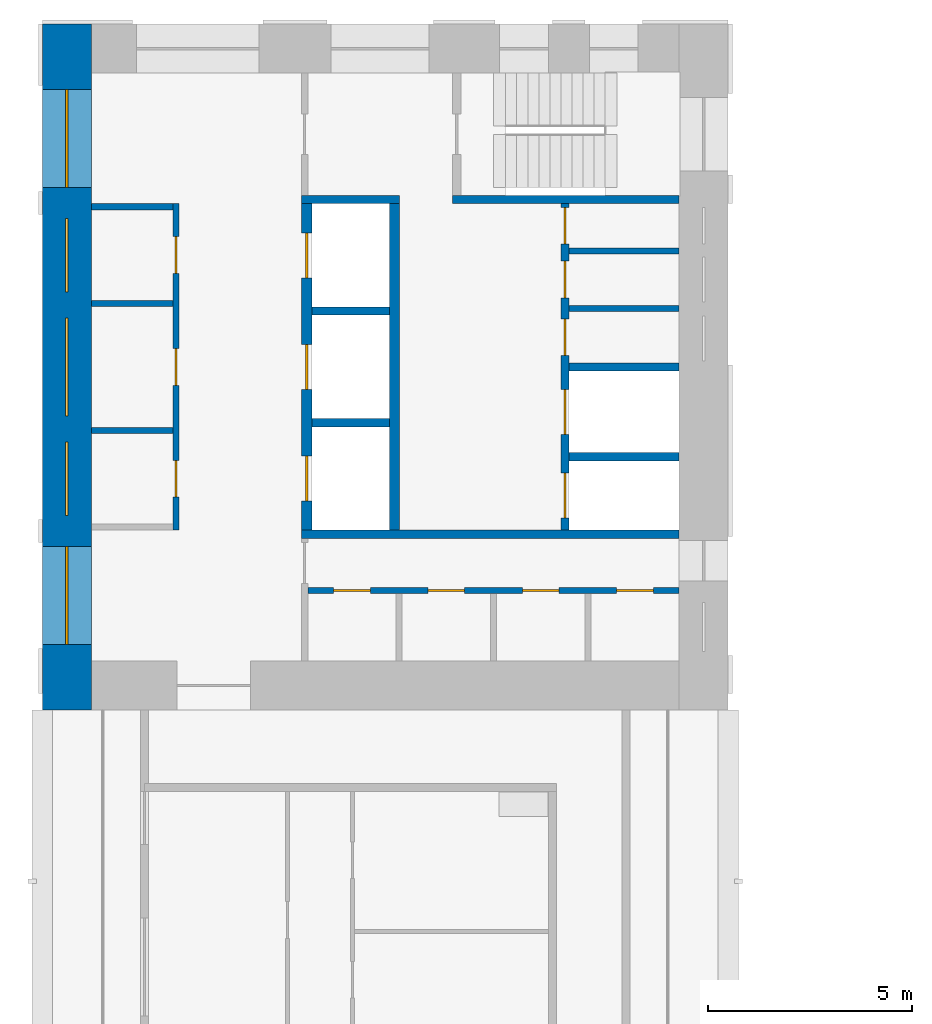
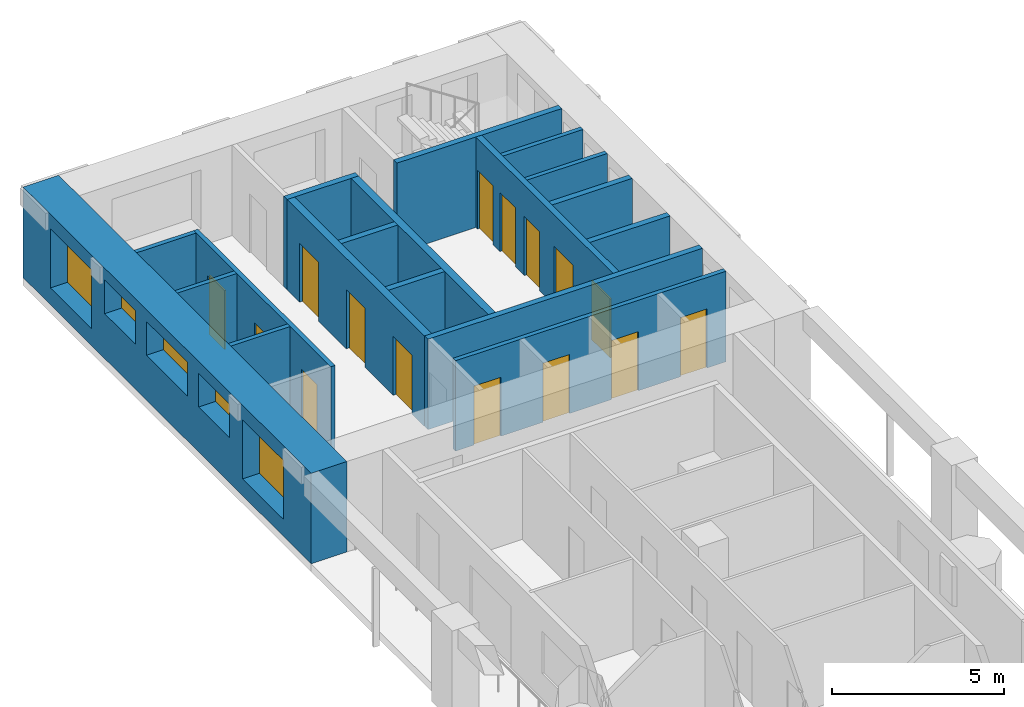
# One storey, part 6 of 13: 18 walls, 15 doors, 5 windows, 20 openings.
"""IFC4 building model written with IfcOpenShell, lengths in metres."""

from ifc_helpers import new_model, si_unit, direction, frame, frame_2d, origin, place, context, subcontext, project, spatial, rectangle, extrude, material, layer, layer_set, type_object, element, fill, save


model = new_model("IFC4")

# Units and contexts
model_context = context("Model", 3, precision=1e-05, world=origin(), true_north=direction((0.0, 1.0)))
body_context = subcontext(model_context, "Body", "Model", "MODEL_VIEW")
ifc_project = project(units=[si_unit("LENGTHUNIT", "METRE"), si_unit("AREAUNIT", "SQUARE_METRE"), si_unit("VOLUMEUNIT", "CUBIC_METRE"), si_unit("PLANEANGLEUNIT", "RADIAN"), si_unit("MASSUNIT", "GRAM", prefix="KILO")], contexts=[model_context])

# Site, building, storey
site_placement = place(None, origin())
site = spatial("IfcSite", under=ifc_project, at=site_placement, CompositionType="ELEMENT")
building_placement = place(site_placement, origin())
building = spatial("IfcBuilding", under=site, at=building_placement, Name="Vermilion Gate Residences", CompositionType="ELEMENT")
storey_placement = place(building_placement, frame((0.0, 0.0, 165.199951171875)))
storey = spatial("IfcBuildingStorey", under=building, at=storey_placement, Name="L42", CompositionType="ELEMENT", Elevation=165.199951171875)

# Walls
ifc_material_1 = material(Name="Masonry blockwork", Category="masonry")
ifc_layer_1 = layer(ifc_material_1, 0.14990234375)
ifc_layer_set_1 = layer_set([ifc_layer_1], Name="BLOCKWORK PARTITION 150 EI 120")
wall_type_1 = type_object("IfcWallType", Name="BLOCKWORK PARTITION 150 EI 120", PredefinedType="PARTITIONING", material=ifc_layer_set_1)
for number, where, z_axis, x_axis, name in (
    (1, (9.60009765625, 54.324951171875, 0.0), (0.0, 0.0, 1.0), (1.0, 0.0, 0.0), "Core room partition B42-RW-W"),
    (2, (9.60009765625, 51.955078125, 0.0), (0.0, 0.0, 1.0), (1.0, 0.0, 0.0), "Core room partition B42-SR-P0"),
    (3, (9.60009765625, 48.844970703125, 0.0), (0.0, 0.0, 1.0), (1.0, 0.0, 0.0), "Core room partition B42-SR-P1"),
):
    element("IfcWall", number, at=place(storey_placement, frame(where, z_axis=z_axis, x_axis=x_axis)), inside=storey, type_object=wall_type_1, Name=name, PredefinedType="PARTITIONING", context=body_context, shape_type="SweptSolid", body=[
        extrude(rectangle(XDim=2.0, YDim=0.14990234375, at=frame_2d((1.0, 0.0))), origin(), (0.0, 0.0, 1.0), 3.219970703125),
    ])

# Wall, openings, doors
wall_1_placement = place(storey_placement, frame((11.675048828125, 54.39990234375, 0.0), z_axis=(0.0, 0.0, 1.0), x_axis=(0.0, -1.0, 0.0)))
wall_1 = element("IfcWall", 4, at=wall_1_placement, inside=storey, type_object=wall_type_1, Name="Core room partition B42-LR-F", PredefinedType="PARTITIONING", context=body_context, shape_type="SweptSolid", body=[
    extrude(rectangle(XDim=8.0, YDim=0.14990234375, at=frame_2d((4.0, 0.0))), origin(), (0.0, 0.0, 1.0), 3.219970703125),
])
opening_1_placement = place(wall_1_placement, frame((0.81005859375, 0.0, 0.0)))
opening_1 = element("IfcOpeningElement", 5, at=opening_1_placement, cuts=wall_1, Name="Opening DK42102", PredefinedType="OPENING", context=body_context, shape_type="SweptSolid", body=[
    extrude(rectangle(XDim=0.89990234375, YDim=2.10009765625, at=frame_2d((0.449951171875, 1.050048828125))), frame((0.0, 0.0849609375, 0.0), z_axis=(0.0, -1.0, 0.0), x_axis=(1.0, 0.0, 0.0)), (0.0, 0.0, 1.0), 0.169921875),
])
opening_2_placement = place(wall_1_placement, frame((3.550048828125, 0.0, 0.0)))
opening_2 = element("IfcOpeningElement", 6, at=opening_2_placement, cuts=wall_1, Name="Opening DK42103", PredefinedType="OPENING", context=body_context, shape_type="SweptSolid", body=[
    extrude(rectangle(XDim=0.89990234375, YDim=2.10009765625, at=frame_2d((0.449951171875, 1.050048828125))), frame((0.0, 0.0849609375, 0.0), z_axis=(0.0, -1.0, 0.0), x_axis=(1.0, 0.0, 0.0)), (0.0, 0.0, 1.0), 0.169921875),
])
opening_3_placement = place(wall_1_placement, frame((6.2900390625, 0.0, 0.0)))
opening_3 = element("IfcOpeningElement", 7, at=opening_3_placement, cuts=wall_1, Name="Opening DK42104", PredefinedType="OPENING", context=body_context, shape_type="SweptSolid", body=[
    extrude(rectangle(XDim=0.89990234375, YDim=2.10009765625, at=frame_2d((0.449951171875, 1.050048828125))), frame((0.0, 0.0849609375, 0.0), z_axis=(0.0, -1.0, 0.0), x_axis=(1.0, 0.0, 0.0)), (0.0, 0.0, 1.0), 0.169921875),
])
ifc_material_2 = material(Name="Steel", Category="steel")
door_type_1 = type_object("IfcDoorType", Name="SERVICE ROOM DOOR FD60 900 X 2100", OperationType="SINGLE_SWING_LEFT", PredefinedType="DOOR", material=ifc_material_2)
door_1_placement = place(opening_1_placement, frame((0.89990234375, 0.0, 0.0), z_axis=(0.0, 0.0, 1.0), x_axis=(-1.0, 0.0, 0.0)))
door_1 = element("IfcDoor", 8, at=door_1_placement, inside=storey, type_object=door_type_1, Name="Refuse room B42", OperationType="SINGLE_SWING_LEFT", OverallHeight=2.10009765625, OverallWidth=0.89990234375, PredefinedType="DOOR", context=body_context, shape_type="SweptSolid", body=[
    extrude(rectangle(XDim=0.89990234375, YDim=2.10009765625, at=frame_2d((0.449951171875, 1.050048828125))), frame((0.0, 0.02490234375, 0.0), z_axis=(0.0, -1.0, 0.0), x_axis=(1.0, 0.0, 0.0)), (0.0, 0.0, 1.0), 0.050048828125),
])
fill(opening_1, door_1)
door_2_placement = place(opening_2_placement, frame((0.89990234375, 0.0, 0.0), z_axis=(0.0, 0.0, 1.0), x_axis=(-1.0, 0.0, 0.0)))
door_2 = element("IfcDoor", 9, at=door_2_placement, inside=storey, type_object=door_type_1, Name="Parcel room B42", OperationType="SINGLE_SWING_RIGHT", OverallHeight=2.10009765625, OverallWidth=0.89990234375, PredefinedType="DOOR", context=body_context, shape_type="SweptSolid", body=[
    extrude(rectangle(XDim=0.89990234375, YDim=2.10009765625, at=frame_2d((0.449951171875, 1.050048828125))), frame((0.0, 0.02490234375, 0.0), z_axis=(0.0, -1.0, 0.0), x_axis=(1.0, 0.0, 0.0)), (0.0, 0.0, 1.0), 0.050048828125),
])
fill(opening_2, door_2)
door_3_placement = place(opening_3_placement, frame((0.89990234375, 0.0, 0.0), z_axis=(0.0, 0.0, 1.0), x_axis=(-1.0, 0.0, 0.0)))
door_3 = element("IfcDoor", 10, at=door_3_placement, inside=storey, type_object=door_type_1, Name="Housekeeping store B42", OperationType="SINGLE_SWING_RIGHT", OverallHeight=2.10009765625, OverallWidth=0.89990234375, PredefinedType="DOOR", context=body_context, shape_type="SweptSolid", body=[
    extrude(rectangle(XDim=0.89990234375, YDim=2.10009765625, at=frame_2d((0.449951171875, 1.050048828125))), frame((0.0, 0.02490234375, 0.0), z_axis=(0.0, -1.0, 0.0), x_axis=(1.0, 0.0, 0.0)), (0.0, 0.0, 1.0), 0.050048828125),
])
fill(opening_3, door_3)

# Walls
for number, where, z_axis, x_axis, name in (
    (11, (21.300048828125, 53.2451171875, 0.0), (0.0, 0.0, 1.0), (1.0, 0.0, 0.0), "Core room partition B42-NR-P0"),
    (12, (21.300048828125, 51.8349609375, 0.0), (0.0, 0.0, 1.0), (1.0, 0.0, 0.0), "Core room partition B42-NR-P1"),
):
    element("IfcWall", number, at=place(storey_placement, frame(where, z_axis=z_axis, x_axis=x_axis)), inside=storey, type_object=wall_type_1, Name=name, PredefinedType="PARTITIONING", context=body_context, shape_type="SweptSolid", body=[
        extrude(rectangle(XDim=2.699951171875, YDim=0.14990234375, at=frame_2d((1.35009765625, 0.0))), origin(), (0.0, 0.0, 1.0), 3.219970703125),
    ])

# Wall, openings, doors
wall_2_placement = place(storey_placement, frame((14.89990234375, 44.925048828125, 0.0), z_axis=(0.0, 0.0, 1.0), x_axis=(1.0, 0.0, 0.0)))
wall_2 = element("IfcWall", 13, at=wall_2_placement, inside=storey, type_object=wall_type_1, Name="Core room partition B42-ES-W", PredefinedType="PARTITIONING", context=body_context, shape_type="SweptSolid", body=[
    extrude(rectangle(XDim=9.10009765625, YDim=0.14990234375, at=frame_2d((4.550048828125, 0.0))), origin(), (0.0, 0.0, 1.0), 3.219970703125),
])
opening_4_placement = place(wall_2_placement, frame((0.63134765625, 0.0, 0.0)))
opening_4 = element("IfcOpeningElement", 14, at=opening_4_placement, cuts=wall_2, Name="Opening DK42116", PredefinedType="OPENING", context=body_context, shape_type="SweptSolid", body=[
    extrude(rectangle(XDim=0.89990234375, YDim=2.10009765625, at=frame_2d((0.449951171875, 1.050048828125))), frame((0.0, 0.0849609375, 0.0), z_axis=(0.0, -1.0, 0.0), x_axis=(1.0, 0.0, 0.0)), (0.0, 0.0, 1.0), 0.169921875),
])
opening_5_placement = place(wall_2_placement, frame((2.94384765625, 0.0, 0.0)))
opening_5 = element("IfcOpeningElement", 15, at=opening_5_placement, cuts=wall_2, Name="Opening DK42117", PredefinedType="OPENING", context=body_context, shape_type="SweptSolid", body=[
    extrude(rectangle(XDim=0.89990234375, YDim=2.10009765625, at=frame_2d((0.449951171875, 1.050048828125))), frame((0.0, 0.0849609375, 0.0), z_axis=(0.0, -1.0, 0.0), x_axis=(1.0, 0.0, 0.0)), (0.0, 0.0, 1.0), 0.169921875),
])
opening_6_placement = place(wall_2_placement, frame((5.25634765625, 0.0, 0.0)))
opening_6 = element("IfcOpeningElement", 16, at=opening_6_placement, cuts=wall_2, Name="Opening DK42118", PredefinedType="OPENING", context=body_context, shape_type="SweptSolid", body=[
    extrude(rectangle(XDim=0.89990234375, YDim=2.10009765625, at=frame_2d((0.449951171875, 1.050048828125))), frame((0.0, 0.0849609375, 0.0), z_axis=(0.0, -1.0, 0.0), x_axis=(1.0, 0.0, 0.0)), (0.0, 0.0, 1.0), 0.169921875),
])
opening_7_placement = place(wall_2_placement, frame((7.56884765625, 0.0, 0.0)))
opening_7 = element("IfcOpeningElement", 17, at=opening_7_placement, cuts=wall_2, Name="Opening DK42119", PredefinedType="OPENING", context=body_context, shape_type="SweptSolid", body=[
    extrude(rectangle(XDim=0.89990234375, YDim=2.10009765625, at=frame_2d((0.449951171875, 1.050048828125))), frame((0.0, 0.0849609375, 0.0), z_axis=(0.0, -1.0, 0.0), x_axis=(1.0, 0.0, 0.0)), (0.0, 0.0, 1.0), 0.169921875),
])
door_4_placement = place(opening_4_placement, frame((0.89990234375, 0.0, 0.0), z_axis=(0.0, 0.0, 1.0), x_axis=(-1.0, 0.0, 0.0)))
door_4 = element("IfcDoor", 18, at=door_4_placement, inside=storey, type_object=door_type_1, Name="Parcel room B42", OperationType="SINGLE_SWING_RIGHT", OverallHeight=2.10009765625, OverallWidth=0.89990234375, PredefinedType="DOOR", context=body_context, shape_type="SweptSolid", body=[
    extrude(rectangle(XDim=0.89990234375, YDim=2.10009765625, at=frame_2d((0.449951171875, 1.050048828125))), frame((0.0, 0.02490234375, 0.0), z_axis=(0.0, -1.0, 0.0), x_axis=(1.0, 0.0, 0.0)), (0.0, 0.0, 1.0), 0.050048828125),
])
fill(opening_4, door_4)
door_5_placement = place(opening_5_placement, frame((0.89990234375, 0.0, 0.0), z_axis=(0.0, 0.0, 1.0), x_axis=(-1.0, 0.0, 0.0)))
door_5 = element("IfcDoor", 19, at=door_5_placement, inside=storey, type_object=door_type_1, Name="Cleaner's store B42", OperationType="SINGLE_SWING_RIGHT", OverallHeight=2.10009765625, OverallWidth=0.89990234375, PredefinedType="DOOR", context=body_context, shape_type="SweptSolid", body=[
    extrude(rectangle(XDim=0.89990234375, YDim=2.10009765625, at=frame_2d((0.449951171875, 1.050048828125))), frame((0.0, 0.02490234375, 0.0), z_axis=(0.0, -1.0, 0.0), x_axis=(1.0, 0.0, 0.0)), (0.0, 0.0, 1.0), 0.050048828125),
])
fill(opening_5, door_5)
door_6_placement = place(opening_6_placement, frame((0.89990234375, 0.0, 0.0), z_axis=(0.0, 0.0, 1.0), x_axis=(-1.0, 0.0, 0.0)))
door_6 = element("IfcDoor", 20, at=door_6_placement, inside=storey, type_object=door_type_1, Name="Electrical room B42", OperationType="SINGLE_SWING_RIGHT", OverallHeight=2.10009765625, OverallWidth=0.89990234375, PredefinedType="DOOR", context=body_context, shape_type="SweptSolid", body=[
    extrude(rectangle(XDim=0.89990234375, YDim=2.10009765625, at=frame_2d((0.449951171875, 1.050048828125))), frame((0.0, 0.02490234375, 0.0), z_axis=(0.0, -1.0, 0.0), x_axis=(1.0, 0.0, 0.0)), (0.0, 0.0, 1.0), 0.050048828125),
])
fill(opening_6, door_6)
door_7_placement = place(opening_7_placement, frame((0.89990234375, 0.0, 0.0), z_axis=(0.0, 0.0, 1.0), x_axis=(-1.0, 0.0, 0.0)))
door_7 = element("IfcDoor", 21, at=door_7_placement, inside=storey, type_object=door_type_1, Name="Storage room B42", OperationType="SINGLE_SWING_RIGHT", OverallHeight=2.10009765625, OverallWidth=0.89990234375, PredefinedType="DOOR", context=body_context, shape_type="SweptSolid", body=[
    extrude(rectangle(XDim=0.89990234375, YDim=2.10009765625, at=frame_2d((0.449951171875, 1.050048828125))), frame((0.0, 0.02490234375, 0.0), z_axis=(0.0, -1.0, 0.0), x_axis=(1.0, 0.0, 0.0)), (0.0, 0.0, 1.0), 0.050048828125),
])
fill(opening_7, door_7)

# Walls
ifc_material_3 = material(Name="Concrete C60", Category="concrete")
ifc_layer_2 = layer(ifc_material_3, 0.199951171875)
ifc_layer_set_2 = layer_set([ifc_layer_2], Name="RC CORE INTERNAL WALL 200 C60")
wall_type_2 = type_object("IfcWallType", Name="RC CORE INTERNAL WALL 200 C60", PredefinedType="SHEAR", material=ifc_layer_set_2)
for number, where, z_axis, x_axis, name in (
    (22, (15.0, 51.7666015625, 0.0), (0.0, 0.0, 1.0), (1.0, 0.0, 0.0), "Core internal wall B42-HR-D1"),
    (23, (15.0, 49.033447265625, 0.0), (0.0, 0.0, 1.0), (1.0, 0.0, 0.0), "Core internal wall B42-HR-D2"),
):
    element("IfcWall", number, at=place(storey_placement, frame(where, z_axis=z_axis, x_axis=x_axis)), inside=storey, type_object=wall_type_2, Name=name, PredefinedType="SHEAR", context=body_context, shape_type="SweptSolid", body=[
        extrude(rectangle(XDim=1.89990234375, YDim=0.199951171875, at=frame_2d((0.949951171875, 0.0))), origin(), (0.0, 0.0, 1.0), 3.219970703125),
    ])
for number, where, z_axis, x_axis, name in (
    (24, (21.300048828125, 50.39990234375, 0.0), (0.0, 0.0, 1.0), (1.0, 0.0, 0.0), "Core internal wall B42-FF-D0"),
    (25, (21.300048828125, 48.199951171875, 0.0), (0.0, 0.0, 1.0), (1.0, 0.0, 0.0), "Core internal wall B42-FF-D1"),
):
    element("IfcWall", number, at=place(storey_placement, frame(where, z_axis=z_axis, x_axis=x_axis)), inside=storey, type_object=wall_type_2, Name=name, PredefinedType="SHEAR", context=body_context, shape_type="SweptSolid", body=[
        extrude(rectangle(XDim=2.699951171875, YDim=0.199951171875, at=frame_2d((1.35009765625, 0.0))), origin(), (0.0, 0.0, 1.0), 3.219970703125),
    ])

# Wall, openings, doors
wall_3_placement = place(storey_placement, frame((21.199951171875, 54.39990234375, 0.0), z_axis=(0.0, 0.0, 1.0), x_axis=(0.0, -1.0, 0.0)))
wall_3 = element("IfcWall", 26, at=wall_3_placement, inside=storey, type_object=wall_type_2, Name="Core internal wall B42-FF-F", PredefinedType="SHEAR", context=body_context, shape_type="SweptSolid", body=[
    extrude(rectangle(XDim=8.0, YDim=0.199951171875, at=frame_2d((4.0, 0.0))), origin(), (0.0, 0.0, 1.0), 3.219970703125),
])
opening_8_placement = place(wall_3_placement, frame((0.090087890625, 0.0, 0.0)))
opening_8 = element("IfcOpeningElement", 27, at=opening_8_placement, cuts=wall_3, Name="Opening DK42108", PredefinedType="OPENING", context=body_context, shape_type="SweptSolid", body=[
    extrude(rectangle(XDim=0.89990234375, YDim=2.10009765625, at=frame_2d((0.449951171875, 1.050048828125))), frame((0.0, 0.10986328125, 0.0), z_axis=(0.0, -1.0, 0.0), x_axis=(1.0, 0.0, 0.0)), (0.0, 0.0, 1.0), 0.219970703125),
])
opening_9_placement = place(wall_3_placement, frame((1.409912109375, 0.0, 0.0)))
opening_9 = element("IfcOpeningElement", 28, at=opening_9_placement, cuts=wall_3, Name="Opening DK42109", PredefinedType="OPENING", context=body_context, shape_type="SweptSolid", body=[
    extrude(rectangle(XDim=0.89990234375, YDim=2.10009765625, at=frame_2d((0.449951171875, 1.050048828125))), frame((0.0, 0.10986328125, 0.0), z_axis=(0.0, -1.0, 0.0), x_axis=(1.0, 0.0, 0.0)), (0.0, 0.0, 1.0), 0.219970703125),
])
opening_10_placement = place(wall_3_placement, frame((2.820068359375, 0.0, 0.0)))
opening_10 = element("IfcOpeningElement", 29, at=opening_10_placement, cuts=wall_3, Name="Opening DK42110", PredefinedType="OPENING", context=body_context, shape_type="SweptSolid", body=[
    extrude(rectangle(XDim=0.89990234375, YDim=2.10009765625, at=frame_2d((0.449951171875, 1.050048828125))), frame((0.0, 0.10986328125, 0.0), z_axis=(0.0, -1.0, 0.0), x_axis=(1.0, 0.0, 0.0)), (0.0, 0.0, 1.0), 0.219970703125),
])
opening_11_placement = place(wall_3_placement, frame((4.550048828125, 0.0, 0.0)))
opening_11 = element("IfcOpeningElement", 30, at=opening_11_placement, cuts=wall_3, Name="Opening LD", PredefinedType="OPENING", context=body_context, shape_type="SweptSolid", body=[
    extrude(rectangle(XDim=1.10009765625, YDim=2.10009765625, at=frame_2d((0.550048828125, 1.050048828125))), frame((0.0, 0.10986328125, 0.0), z_axis=(0.0, -1.0, 0.0), x_axis=(1.0, 0.0, 0.0)), (0.0, 0.0, 1.0), 0.219970703125),
])
opening_12_placement = place(wall_3_placement, frame((6.60009765625, 0.0, 0.0)))
opening_12 = element("IfcOpeningElement", 31, at=opening_12_placement, cuts=wall_3, Name="Opening LD", PredefinedType="OPENING", context=body_context, shape_type="SweptSolid", body=[
    extrude(rectangle(XDim=1.10009765625, YDim=2.10009765625, at=frame_2d((0.550048828125, 1.050048828125))), frame((0.0, 0.10986328125, 0.0), z_axis=(0.0, -1.0, 0.0), x_axis=(1.0, 0.0, 0.0)), (0.0, 0.0, 1.0), 0.219970703125),
])
ifc_material_4 = material(Name="Stainless steel", Category="steel")
door_type_2 = type_object("IfcDoorType", Name="LIFT LANDING DOOR E60 1100 X 2100", OperationType="DOUBLE_DOOR_SLIDING", PredefinedType="DOOR", material=ifc_material_4)
door_8_placement = place(opening_11_placement, origin())
door_8 = element("IfcDoor", 32, at=door_8_placement, inside=storey, type_object=door_type_2, Name="Lift landing door LFB1", OperationType="DOUBLE_DOOR_SLIDING", OverallHeight=2.10009765625, OverallWidth=1.10009765625, PredefinedType="DOOR", context=body_context, shape_type="SweptSolid", body=[
    extrude(rectangle(XDim=1.10009765625, YDim=2.10009765625, at=frame_2d((0.550048828125, 1.050048828125))), frame((0.0, 0.02490234375, 0.0), z_axis=(0.0, -1.0, 0.0), x_axis=(1.0, 0.0, 0.0)), (0.0, 0.0, 1.0), 0.050048828125),
])
fill(opening_11, door_8)
door_9_placement = place(opening_12_placement, origin())
door_9 = element("IfcDoor", 33, at=door_9_placement, inside=storey, type_object=door_type_2, Name="Lift landing door LCB1", OperationType="DOUBLE_DOOR_SLIDING", OverallHeight=2.10009765625, OverallWidth=1.10009765625, PredefinedType="DOOR", context=body_context, shape_type="SweptSolid", body=[
    extrude(rectangle(XDim=1.10009765625, YDim=2.10009765625, at=frame_2d((0.550048828125, 1.050048828125))), frame((0.0, 0.02490234375, 0.0), z_axis=(0.0, -1.0, 0.0), x_axis=(1.0, 0.0, 0.0)), (0.0, 0.0, 1.0), 0.050048828125),
])
fill(opening_12, door_9)
door_10_placement = place(opening_8_placement, origin())
door_10 = element("IfcDoor", 34, at=door_10_placement, inside=storey, type_object=door_type_1, Name="Communications riser B42", OperationType="SINGLE_SWING_RIGHT", OverallHeight=2.10009765625, OverallWidth=0.89990234375, PredefinedType="DOOR", context=body_context, shape_type="SweptSolid", body=[
    extrude(rectangle(XDim=0.89990234375, YDim=2.10009765625, at=frame_2d((0.449951171875, 1.050048828125))), frame((0.0, 0.02490234375, 0.0), z_axis=(0.0, -1.0, 0.0), x_axis=(1.0, 0.0, 0.0)), (0.0, 0.0, 1.0), 0.050048828125),
])
fill(opening_8, door_10)
door_11_placement = place(opening_9_placement, origin())
door_11 = element("IfcDoor", 35, at=door_11_placement, inside=storey, type_object=door_type_1, Name="Refuse room B42", OperationType="SINGLE_SWING_LEFT", OverallHeight=2.10009765625, OverallWidth=0.89990234375, PredefinedType="DOOR", context=body_context, shape_type="SweptSolid", body=[
    extrude(rectangle(XDim=0.89990234375, YDim=2.10009765625, at=frame_2d((0.449951171875, 1.050048828125))), frame((0.0, 0.02490234375, 0.0), z_axis=(0.0, -1.0, 0.0), x_axis=(1.0, 0.0, 0.0)), (0.0, 0.0, 1.0), 0.050048828125),
])
fill(opening_9, door_11)
door_12_placement = place(opening_10_placement, origin())
door_12 = element("IfcDoor", 36, at=door_12_placement, inside=storey, type_object=door_type_1, Name="Parcel room B42", OperationType="SINGLE_SWING_LEFT", OverallHeight=2.10009765625, OverallWidth=0.89990234375, PredefinedType="DOOR", context=body_context, shape_type="SweptSolid", body=[
    extrude(rectangle(XDim=0.89990234375, YDim=2.10009765625, at=frame_2d((0.449951171875, 1.050048828125))), frame((0.0, 0.02490234375, 0.0), z_axis=(0.0, -1.0, 0.0), x_axis=(1.0, 0.0, 0.0)), (0.0, 0.0, 1.0), 0.050048828125),
])
fill(opening_10, door_12)

# Walls
wall_4_placement = place(storey_placement, frame((14.75, 54.5, 0.0), z_axis=(0.0, 0.0, 1.0), x_axis=(1.0, 0.0, 0.0)))
element("IfcWall", 37, at=wall_4_placement, inside=storey, type_object=wall_type_2, Name="Core internal wall B42-WDIV1", PredefinedType="SHEAR", context=body_context, shape_type="SweptSolid", body=[
    extrude(rectangle(XDim=2.39990234375, YDim=0.199951171875, at=frame_2d((1.199951171875, 0.0))), origin(), (0.0, 0.0, 1.0), 3.219970703125),
])
wall_5_placement = place(storey_placement, frame((18.449951171875, 54.5, 0.0), z_axis=(0.0, 0.0, 1.0), x_axis=(1.0, 0.0, 0.0)))
element("IfcWall", 38, at=wall_5_placement, inside=storey, type_object=wall_type_2, Name="Core internal wall B42-WDIV2", PredefinedType="SHEAR", context=body_context, shape_type="SweptSolid", body=[
    extrude(rectangle(XDim=5.550048828125, YDim=0.199951171875, at=frame_2d((2.77490234375, 0.0))), origin(), (0.0, 0.0, 1.0), 3.219970703125),
])
wall_6_placement = place(storey_placement, frame((14.75, 46.300048828125, 0.0), z_axis=(0.0, 0.0, 1.0), x_axis=(1.0, 0.0, 0.0)))
element("IfcWall", 39, at=wall_6_placement, inside=storey, type_object=wall_type_2, Name="Core internal wall B42-EDIV", PredefinedType="SHEAR", context=body_context, shape_type="SweptSolid", body=[
    extrude(rectangle(XDim=9.25, YDim=0.199951171875, at=frame_2d((4.625, 0.0))), origin(), (0.0, 0.0, 1.0), 3.219970703125),
])

# Wall, openings, windows
ifc_material_5 = material(Name="Concrete C60 red-oxide pigmented", Category="concrete")
ifc_layer_3 = layer(ifc_material_5, 1.199951171875)
ifc_layer_set_3 = layer_set([ifc_layer_3], Name="RC CORE WALL 1200 C60 RED OXIDE")
wall_type_3 = type_object("IfcWallType", Name="RC CORE WALL 1200 C60 RED OXIDE", PredefinedType="SHEAR", material=ifc_layer_set_3)
wall_7_placement = place(storey_placement, frame((9.0, 58.800048828125, 0.0), z_axis=(0.0, 0.0, 1.0), x_axis=(0.0, -1.0, 0.0)))
wall_7 = element("IfcWall", 40, at=wall_7_placement, inside=storey, type_object=wall_type_3, Name="Core wall B42-OUT-B0", PredefinedType="SHEAR", context=body_context, shape_type="SweptSolid", body=[
    extrude(rectangle(XDim=16.800048828125, YDim=1.199951171875, at=frame_2d((8.39990234375, 0.0))), origin(), (0.0, 0.0, 1.0), 3.219970703125),
])
opening_13_placement = place(wall_7_placement, frame((1.60009765625, 0.0, 0.60009765625)))
opening_13 = element("IfcOpeningElement", 41, at=opening_13_placement, cuts=wall_7, Name="Opening WKB4201", PredefinedType="OPENING", context=body_context, shape_type="SweptSolid", body=[
    extrude(rectangle(XDim=2.39990234375, YDim=2.10009765625, at=frame_2d((1.199951171875, 1.050048828125))), frame((0.0, 0.60986328125, 0.0), z_axis=(0.0, -1.0, 0.0), x_axis=(1.0, 0.0, 0.0)), (0.0, 0.0, 1.0), 1.219970703125),
])
opening_14_placement = place(wall_7_placement, frame((4.760009765625, 0.0, 1.60009765625)))
opening_14 = element("IfcOpeningElement", 42, at=opening_14_placement, cuts=wall_7, Name="Opening WKB4202", PredefinedType="OPENING", context=body_context, shape_type="SweptSolid", body=[
    extrude(rectangle(XDim=1.800048828125, YDim=1.199951171875, at=frame_2d((0.89990234375, 0.60009765625))), frame((0.0, 0.60986328125, 0.0), z_axis=(0.0, -1.0, 0.0), x_axis=(1.0, 0.0, 0.0)), (0.0, 0.0, 1.0), 1.219970703125),
])
opening_15_placement = place(wall_7_placement, frame((7.199951171875, 0.0, 1.60009765625)))
opening_15 = element("IfcOpeningElement", 43, at=opening_15_placement, cuts=wall_7, Name="Opening WKB4203", PredefinedType="OPENING", context=body_context, shape_type="SweptSolid", body=[
    extrude(rectangle(XDim=2.39990234375, YDim=1.199951171875, at=frame_2d((1.199951171875, 0.60009765625))), frame((0.0, 0.60986328125, 0.0), z_axis=(0.0, -1.0, 0.0), x_axis=(1.0, 0.0, 0.0)), (0.0, 0.0, 1.0), 1.219970703125),
])
opening_16_placement = place(wall_7_placement, frame((10.239990234375, 0.0, 1.60009765625)))
opening_16 = element("IfcOpeningElement", 44, at=opening_16_placement, cuts=wall_7, Name="Opening WKB4204", PredefinedType="OPENING", context=body_context, shape_type="SweptSolid", body=[
    extrude(rectangle(XDim=1.800048828125, YDim=1.199951171875, at=frame_2d((0.89990234375, 0.60009765625))), frame((0.0, 0.60986328125, 0.0), z_axis=(0.0, -1.0, 0.0), x_axis=(1.0, 0.0, 0.0)), (0.0, 0.0, 1.0), 1.219970703125),
])
opening_17_placement = place(wall_7_placement, frame((12.800048828125, 0.0, 0.60009765625)))
opening_17 = element("IfcOpeningElement", 45, at=opening_17_placement, cuts=wall_7, Name="Opening WKB4205", PredefinedType="OPENING", context=body_context, shape_type="SweptSolid", body=[
    extrude(rectangle(XDim=2.39990234375, YDim=2.10009765625, at=frame_2d((1.199951171875, 1.050048828125))), frame((0.0, 0.60986328125, 0.0), z_axis=(0.0, -1.0, 0.0), x_axis=(1.0, 0.0, 0.0)), (0.0, 0.0, 1.0), 1.219970703125),
])
ifc_material_6 = material(Name="Aluminium and clear glass", Category="aluminium")
window_type_1 = type_object("IfcWindowType", Name="CORE LOBBY WINDOW 2400 X 2100", PartitioningType="SINGLE_PANEL", PredefinedType="WINDOW", material=ifc_material_6)
window_1_placement = place(opening_13_placement, origin())
window_1 = element("IfcWindow", 46, at=window_1_placement, inside=storey, type_object=window_type_1, Name="Core lobby window", OverallHeight=2.10009765625, OverallWidth=2.39990234375, PartitioningType="SINGLE_PANEL", PredefinedType="WINDOW", context=body_context, shape_type="SweptSolid", body=[
    extrude(rectangle(XDim=2.39990234375, YDim=2.10009765625, at=frame_2d((1.199951171875, 1.050048828125))), frame((0.0, 0.030029296875, 0.0), z_axis=(0.0, -1.0, 0.0), x_axis=(1.0, 0.0, 0.0)), (0.0, 0.0, 1.0), 0.06005859375),
])
fill(opening_13, window_1)
window_2_placement = place(opening_17_placement, origin())
window_2 = element("IfcWindow", 47, at=window_2_placement, inside=storey, type_object=window_type_1, Name="Core lobby window", OverallHeight=2.10009765625, OverallWidth=2.39990234375, PartitioningType="SINGLE_PANEL", PredefinedType="WINDOW", context=body_context, shape_type="SweptSolid", body=[
    extrude(rectangle(XDim=2.39990234375, YDim=2.10009765625, at=frame_2d((1.199951171875, 1.050048828125))), frame((0.0, 0.030029296875, 0.0), z_axis=(0.0, -1.0, 0.0), x_axis=(1.0, 0.0, 0.0)), (0.0, 0.0, 1.0), 0.06005859375),
])
fill(opening_17, window_2)
ifc_material_7 = material(Name="Aluminium frame with louvre blades", Category="aluminium")
window_type_2 = type_object("IfcWindowType", Name="CORE LOUVRE 1800 X 1200", PartitioningType="SINGLE_PANEL", PredefinedType="WINDOW", material=ifc_material_7)
window_3_placement = place(opening_14_placement, origin())
window_3 = element("IfcWindow", 48, at=window_3_placement, inside=storey, type_object=window_type_2, Name="Core louvre", OverallHeight=1.199951171875, OverallWidth=1.800048828125, PartitioningType="SINGLE_PANEL", PredefinedType="WINDOW", context=body_context, shape_type="SweptSolid", body=[
    extrude(rectangle(XDim=1.800048828125, YDim=1.199951171875, at=frame_2d((0.89990234375, 0.60009765625))), frame((0.0, 0.030029296875, 0.0), z_axis=(0.0, -1.0, 0.0), x_axis=(1.0, 0.0, 0.0)), (0.0, 0.0, 1.0), 0.06005859375),
])
fill(opening_14, window_3)
window_4_placement = place(opening_16_placement, origin())
window_4 = element("IfcWindow", 49, at=window_4_placement, inside=storey, type_object=window_type_2, Name="Core louvre", OverallHeight=1.199951171875, OverallWidth=1.800048828125, PartitioningType="SINGLE_PANEL", PredefinedType="WINDOW", context=body_context, shape_type="SweptSolid", body=[
    extrude(rectangle(XDim=1.800048828125, YDim=1.199951171875, at=frame_2d((0.89990234375, 0.60009765625))), frame((0.0, 0.030029296875, 0.0), z_axis=(0.0, -1.0, 0.0), x_axis=(1.0, 0.0, 0.0)), (0.0, 0.0, 1.0), 0.06005859375),
])
fill(opening_16, window_4)
ifc_material_8 = material(Name="Aluminium frame with louvre blades", Category="aluminium")
window_type_3 = type_object("IfcWindowType", Name="CORE LOUVRE 2400 X 1200", PartitioningType="SINGLE_PANEL", PredefinedType="WINDOW", material=ifc_material_8)
window_5_placement = place(opening_15_placement, origin())
window_5 = element("IfcWindow", 50, at=window_5_placement, inside=storey, type_object=window_type_3, Name="Core louvre", OverallHeight=1.199951171875, OverallWidth=2.39990234375, PartitioningType="SINGLE_PANEL", PredefinedType="WINDOW", context=body_context, shape_type="SweptSolid", body=[
    extrude(rectangle(XDim=2.39990234375, YDim=1.199951171875, at=frame_2d((1.199951171875, 0.60009765625))), frame((0.0, 0.030029296875, 0.0), z_axis=(0.0, -1.0, 0.0), x_axis=(1.0, 0.0, 0.0)), (0.0, 0.0, 1.0), 0.06005859375),
])
fill(opening_15, window_5)

# Wall, openings, doors
ifc_material_9 = material(Name="Concrete C60", Category="concrete")
ifc_layer_4 = layer(ifc_material_9, 0.25)
ifc_layer_set_4 = layer_set([ifc_layer_4], Name="RC LIFT SHAFT WALL 250 C60")
wall_type_4 = type_object("IfcWallType", Name="RC LIFT SHAFT WALL 250 C60", PredefinedType="SHEAR", material=ifc_layer_set_4)
wall_8_placement = place(storey_placement, frame((14.875, 54.39990234375, 0.0), z_axis=(0.0, 0.0, 1.0), x_axis=(0.0, -1.0, 0.0)))
wall_8 = element("IfcWall", 51, at=wall_8_placement, inside=storey, type_object=wall_type_4, Name="Lift shaft wall B42-HR-F", PredefinedType="SHEAR", context=body_context, shape_type="SweptSolid", body=[
    extrude(rectangle(XDim=8.0, YDim=0.25, at=frame_2d((4.0, 0.0))), origin(), (0.0, 0.0, 1.0), 3.219970703125),
])
opening_18_placement = place(wall_8_placement, frame((0.716552734375, 0.0, 0.0)))
opening_18 = element("IfcOpeningElement", 52, at=opening_18_placement, cuts=wall_8, Name="Opening LD", PredefinedType="OPENING", context=body_context, shape_type="SweptSolid", body=[
    extrude(rectangle(XDim=1.10009765625, YDim=2.10009765625, at=frame_2d((0.550048828125, 1.050048828125))), frame((0.0, 0.135009765625, 0.0), z_axis=(0.0, -1.0, 0.0), x_axis=(1.0, 0.0, 0.0)), (0.0, 0.0, 1.0), 0.27001953125),
])
opening_19_placement = place(wall_8_placement, frame((3.449951171875, 0.0, 0.0)))
opening_19 = element("IfcOpeningElement", 53, at=opening_19_placement, cuts=wall_8, Name="Opening LD", PredefinedType="OPENING", context=body_context, shape_type="SweptSolid", body=[
    extrude(rectangle(XDim=1.10009765625, YDim=2.10009765625, at=frame_2d((0.550048828125, 1.050048828125))), frame((0.0, 0.135009765625, 0.0), z_axis=(0.0, -1.0, 0.0), x_axis=(1.0, 0.0, 0.0)), (0.0, 0.0, 1.0), 0.27001953125),
])
opening_20_placement = place(wall_8_placement, frame((6.183349609375, 0.0, 0.0)))
opening_20 = element("IfcOpeningElement", 54, at=opening_20_placement, cuts=wall_8, Name="Opening LD", PredefinedType="OPENING", context=body_context, shape_type="SweptSolid", body=[
    extrude(rectangle(XDim=1.10009765625, YDim=2.10009765625, at=frame_2d((0.550048828125, 1.050048828125))), frame((0.0, 0.135009765625, 0.0), z_axis=(0.0, -1.0, 0.0), x_axis=(1.0, 0.0, 0.0)), (0.0, 0.0, 1.0), 0.27001953125),
])
door_13_placement = place(opening_18_placement, origin())
door_13 = element("IfcDoor", 55, at=door_13_placement, inside=storey, type_object=door_type_2, Name="Lift landing door HRB1", OperationType="DOUBLE_DOOR_SLIDING", OverallHeight=2.10009765625, OverallWidth=1.10009765625, PredefinedType="DOOR", context=body_context, shape_type="SweptSolid", body=[
    extrude(rectangle(XDim=1.10009765625, YDim=2.10009765625, at=frame_2d((0.550048828125, 1.050048828125))), frame((0.0, 0.02490234375, 0.0), z_axis=(0.0, -1.0, 0.0), x_axis=(1.0, 0.0, 0.0)), (0.0, 0.0, 1.0), 0.050048828125),
])
fill(opening_18, door_13)
door_14_placement = place(opening_19_placement, origin())
door_14 = element("IfcDoor", 56, at=door_14_placement, inside=storey, type_object=door_type_2, Name="Lift landing door HRB2", OperationType="DOUBLE_DOOR_SLIDING", OverallHeight=2.10009765625, OverallWidth=1.10009765625, PredefinedType="DOOR", context=body_context, shape_type="SweptSolid", body=[
    extrude(rectangle(XDim=1.10009765625, YDim=2.10009765625, at=frame_2d((0.550048828125, 1.050048828125))), frame((0.0, 0.02490234375, 0.0), z_axis=(0.0, -1.0, 0.0), x_axis=(1.0, 0.0, 0.0)), (0.0, 0.0, 1.0), 0.050048828125),
])
fill(opening_19, door_14)
door_15_placement = place(opening_20_placement, origin())
door_15 = element("IfcDoor", 57, at=door_15_placement, inside=storey, type_object=door_type_2, Name="Lift landing door HRB3", OperationType="DOUBLE_DOOR_SLIDING", OverallHeight=2.10009765625, OverallWidth=1.10009765625, PredefinedType="DOOR", context=body_context, shape_type="SweptSolid", body=[
    extrude(rectangle(XDim=1.10009765625, YDim=2.10009765625, at=frame_2d((0.550048828125, 1.050048828125))), frame((0.0, 0.02490234375, 0.0), z_axis=(0.0, -1.0, 0.0), x_axis=(1.0, 0.0, 0.0)), (0.0, 0.0, 1.0), 0.050048828125),
])
fill(opening_20, door_15)

# Wall
wall_9_placement = place(storey_placement, frame((17.02490234375, 54.39990234375, 0.0), z_axis=(0.0, 0.0, 1.0), x_axis=(0.0, -1.0, 0.0)))
element("IfcWall", 58, at=wall_9_placement, inside=storey, type_object=wall_type_4, Name="Lift shaft wall B42-HR-B", PredefinedType="SHEAR", context=body_context, shape_type="SweptSolid", body=[
    extrude(rectangle(XDim=8.0, YDim=0.25, at=frame_2d((4.0, 0.0))), origin(), (0.0, 0.0, 1.0), 3.219970703125),
])

save(model, "model.ifc")
